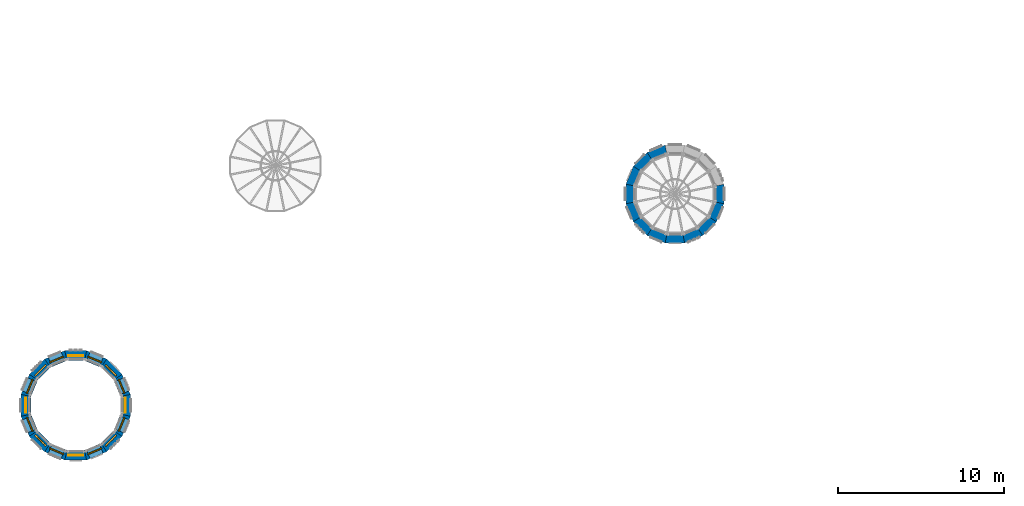
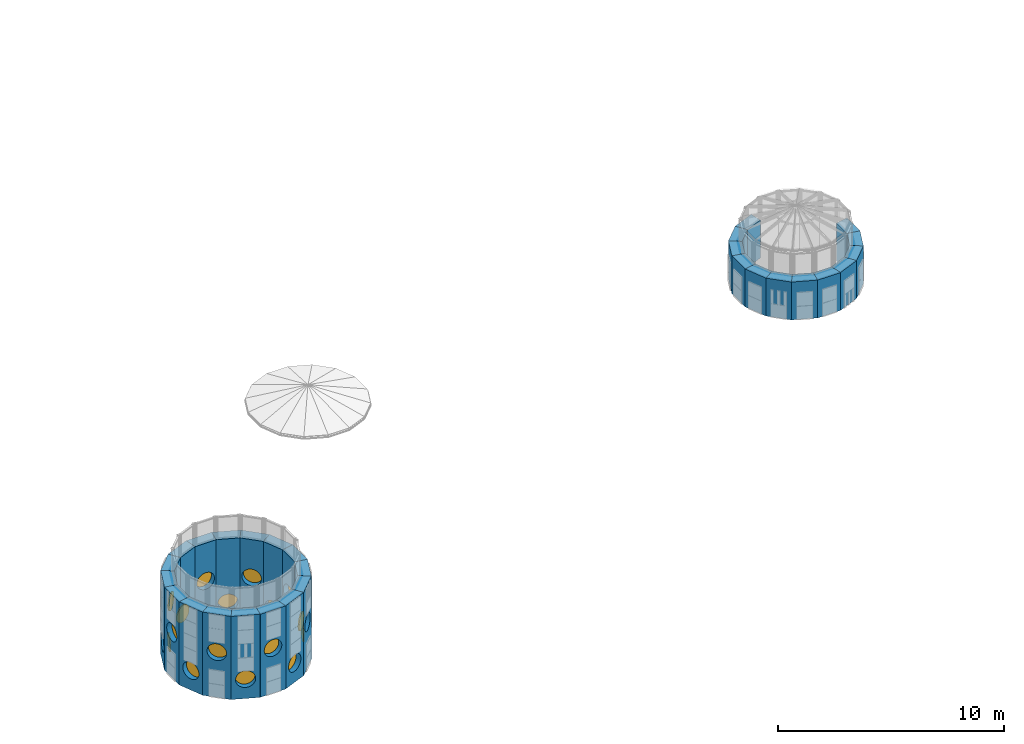
# One storey, part 26 of 36: 28 walls, 16 windows, 16 openings.
"""IFC4 building model written with IfcOpenShell, lengths in metres."""

from ifc_helpers import new_model, si_unit, direction, frame, frame_2d, origin, place, context, subcontext, project, spatial, polyline, circle, outline, extrude, material, layer, layer_set, type_object, element, fill, save


model = new_model("IFC4")

# Units and contexts
model_context = context("Model", 3, precision=1e-05, world=origin(), true_north=direction((0.0, 1.0)))
body_context = subcontext(model_context, "Body", "Model", "MODEL_VIEW")
ifc_project = project(units=[si_unit("LENGTHUNIT", "METRE"), si_unit("AREAUNIT", "SQUARE_METRE"), si_unit("VOLUMEUNIT", "CUBIC_METRE"), si_unit("PLANEANGLEUNIT", "RADIAN"), si_unit("MASSUNIT", "GRAM", prefix="KILO")], contexts=[model_context])

# Site, building, storey
site_placement = place(None, origin())
site = spatial("IfcSite", under=ifc_project, at=site_placement, CompositionType="ELEMENT")
building_placement = place(site_placement, origin())
building = spatial("IfcBuilding", under=site, at=building_placement, Name="Sun Court Science Centre", CompositionType="ELEMENT")
storey_placement = place(building_placement, frame((0.0, 0.0, 24.75)))
storey = spatial("IfcBuildingStorey", under=building, at=storey_placement, Name="L05", CompositionType="ELEMENT", Elevation=24.75)

# Wall, opening, window
ifc_material_1 = material(Name="Concrete C30/37", Category="concrete")
ifc_layer = layer(ifc_material_1, 0.60009765625)
ifc_layer_set = layer_set([ifc_layer], Name="Concrete C30/37")
wall_type = type_object("IfcWallType", Name="RC cone ring wall exterior 600", PredefinedType="SHEAR", material=ifc_layer_set)
wall_1_placement = place(storey_placement, frame((9.008544921875, 12.038818359375, -0.300048828125), z_axis=(0.0, 0.0, 1.0), x_axis=(-0.382731217677, 0.923859737739, 0.0)))
wall_1 = element("IfcWall", 1, at=wall_1_placement, inside=storey, type_object=wall_type, Name="Cone 1 ring wall L05 segment 1", PredefinedType="SHEAR", context=body_context, shape_type="SweptSolid", body=[
    extrude(outline(polyline([(0.0, -0.2998046875), (1.306884765625, -0.2998046875), (1.187744140625, 0.300048828125), (0.119384765625, 0.30029296875), (0.0, -0.2998046875)])), origin(), (0.0, 0.0, 1.0), 4.5),
])
opening_1_placement = place(wall_1_placement, frame((0.20361328125, 0.0, 0.60009765625)))
opening_1 = element("IfcOpeningElement", 2, at=opening_1_placement, cuts=wall_1, Name="Opening WN-L05-001", PredefinedType="OPENING", context=body_context, shape_type="SweptSolid", body=[
    extrude(circle(Radius=0.449951171875, at=frame_2d((0.449951171875, 0.449951171875))), frame((0.0, 0.31005859375, 0.0), z_axis=(0.0, -1.0, 0.0), x_axis=(1.0, 0.0, 0.0)), (0.0, 0.0, 1.0), 0.6201171875),
])
ifc_material_2 = material(Name="Aluminium frame, 6-12-6 glazing", Category="aluminium")
window_type = type_object("IfcWindowType", Name="Round porthole 900", PartitioningType="SINGLE_PANEL", PredefinedType="WINDOW", material=ifc_material_2)
window_1_placement = place(opening_1_placement, origin())
window_1 = element("IfcWindow", 3, at=window_1_placement, inside=storey, type_object=window_type, Name="Round porthole cone 1 ring 6 01", OverallHeight=0.89990234375, OverallWidth=0.89990234375, PartitioningType="SINGLE_PANEL", PredefinedType="WINDOW", context=body_context, shape_type="SweptSolid", body=[
    extrude(circle(Radius=0.449951171875, at=frame_2d((0.449951171875, 0.449951171875))), frame((0.0, 0.030029296875, 0.0), z_axis=(0.0, -1.0, 0.0), x_axis=(1.0, 0.0, 0.0)), (0.0, 0.0, 1.0), 0.06005859375),
])
fill(opening_1, window_1)

wall_2_placement = place(storey_placement, frame((8.5732421875, 13.14892578125, -0.300048828125), z_axis=(0.0, 0.0, 1.0), x_axis=(-0.707106781187, 0.707106781187, 0.0)))
wall_2 = element("IfcWall", 4, at=wall_2_placement, inside=storey, type_object=wall_type, Name="Cone 1 ring wall L05 segment 2", PredefinedType="SHEAR", context=body_context, shape_type="SweptSolid", body=[
    extrude(outline(polyline([(0.0, -0.300048828125), (1.30712890625, -0.300048828125), (1.18798828125, 0.2998046875), (0.119384765625, 0.2998046875), (0.0, -0.300048828125)])), origin(), (0.0, 0.0, 1.0), 4.5),
])
opening_2_placement = place(wall_2_placement, frame((0.20361328125, 0.0, 2.0)))
opening_2 = element("IfcOpeningElement", 5, at=opening_2_placement, cuts=wall_2, Name="Opening WN-L05-009", PredefinedType="OPENING", context=body_context, shape_type="SweptSolid", body=[
    extrude(circle(Radius=0.449951171875, at=frame_2d((0.449951171875, 0.449951171875))), frame((0.0, 0.31005859375, 0.0), z_axis=(0.0, -1.0, 0.0), x_axis=(1.0, 0.0, 0.0)), (0.0, 0.0, 1.0), 0.6201171875),
])
window_2_placement = place(opening_2_placement, origin())
window_2 = element("IfcWindow", 6, at=window_2_placement, inside=storey, type_object=window_type, Name="Round porthole cone 1 ring 6 02", OverallHeight=0.89990234375, OverallWidth=0.89990234375, PartitioningType="SINGLE_PANEL", PredefinedType="WINDOW", context=body_context, shape_type="SweptSolid", body=[
    extrude(circle(Radius=0.449951171875, at=frame_2d((0.449951171875, 0.449951171875))), frame((0.0, 0.030029296875, 0.0), z_axis=(0.0, -1.0, 0.0), x_axis=(1.0, 0.0, 0.0)), (0.0, 0.0, 1.0), 0.06005859375),
])
fill(opening_2, window_2)

wall_3_placement = place(storey_placement, frame((7.746337890625, 14.00830078125, -0.300048828125), z_axis=(0.0, 0.0, 1.0), x_axis=(-0.923859737739, 0.382731217677, 0.0)))
wall_3 = element("IfcWall", 7, at=wall_3_placement, inside=storey, type_object=wall_type, Name="Cone 1 ring wall L05 segment 3", PredefinedType="SHEAR", context=body_context, shape_type="SweptSolid", body=[
    extrude(outline(polyline([(0.0, -0.2998046875), (1.30712890625, -0.2998046875), (1.187744140625, 0.30029296875), (0.119384765625, 0.300048828125), (0.0, -0.2998046875)])), origin(), (0.0, 0.0, 1.0), 4.5),
])
opening_3_placement = place(wall_3_placement, frame((0.20361328125, 0.0, 0.60009765625)))
opening_3 = element("IfcOpeningElement", 8, at=opening_3_placement, cuts=wall_3, Name="Opening WN-L05-002", PredefinedType="OPENING", context=body_context, shape_type="SweptSolid", body=[
    extrude(circle(Radius=0.449951171875, at=frame_2d((0.449951171875, 0.449951171875))), frame((0.0, 0.31005859375, 0.0), z_axis=(0.0, -1.0, 0.0), x_axis=(1.0, 0.0, 0.0)), (0.0, 0.0, 1.0), 0.6201171875),
])
window_3_placement = place(opening_3_placement, origin())
window_3 = element("IfcWindow", 9, at=window_3_placement, inside=storey, type_object=window_type, Name="Round porthole cone 1 ring 6 03", OverallHeight=0.89990234375, OverallWidth=0.89990234375, PartitioningType="SINGLE_PANEL", PredefinedType="WINDOW", context=body_context, shape_type="SweptSolid", body=[
    extrude(circle(Radius=0.449951171875, at=frame_2d((0.449951171875, 0.449951171875))), frame((0.0, 0.030029296875, 0.0), z_axis=(0.0, -1.0, 0.0), x_axis=(1.0, 0.0, 0.0)), (0.0, 0.0, 1.0), 0.06005859375),
])
fill(opening_3, window_3)

wall_4_placement = place(storey_placement, frame((6.653564453125, 14.485595703125, -0.300048828125), z_axis=(0.0, 0.0, 1.0), x_axis=(-1.0, 0.0, 0.0)))
wall_4 = element("IfcWall", 10, at=wall_4_placement, inside=storey, type_object=wall_type, Name="Cone 1 ring wall L05 segment 4", PredefinedType="SHEAR", context=body_context, shape_type="SweptSolid", body=[
    extrude(outline(polyline([(0.0, -0.300048828125), (1.30712890625, -0.300048828125), (1.187744140625, 0.300048828125), (0.119384765625, 0.300048828125), (0.0, -0.300048828125)])), origin(), (0.0, 0.0, 1.0), 4.5),
])
opening_4_placement = place(wall_4_placement, frame((0.20361328125, 0.0, 2.0)))
opening_4 = element("IfcOpeningElement", 11, at=opening_4_placement, cuts=wall_4, Name="Opening WN-L05-010", PredefinedType="OPENING", context=body_context, shape_type="SweptSolid", body=[
    extrude(circle(Radius=0.449951171875, at=frame_2d((0.449951171875, 0.449951171875))), frame((0.0, 0.31005859375, 0.0), z_axis=(0.0, -1.0, 0.0), x_axis=(1.0, 0.0, 0.0)), (0.0, 0.0, 1.0), 0.6201171875),
])
window_4_placement = place(opening_4_placement, origin())
window_4 = element("IfcWindow", 12, at=window_4_placement, inside=storey, type_object=window_type, Name="Round porthole cone 1 ring 6 04", OverallHeight=0.89990234375, OverallWidth=0.89990234375, PartitioningType="SINGLE_PANEL", PredefinedType="WINDOW", context=body_context, shape_type="SweptSolid", body=[
    extrude(circle(Radius=0.449951171875, at=frame_2d((0.449951171875, 0.449951171875))), frame((0.0, 0.030029296875, 0.0), z_axis=(0.0, -1.0, 0.0), x_axis=(1.0, 0.0, 0.0)), (0.0, 0.0, 1.0), 0.06005859375),
])
fill(opening_4, window_4)

wall_5_placement = place(storey_placement, frame((5.461181640625, 14.508544921875, -0.300048828125), z_axis=(0.0, 0.0, 1.0), x_axis=(-0.923859737739, -0.382731217677, 0.0)))
wall_5 = element("IfcWall", 13, at=wall_5_placement, inside=storey, type_object=wall_type, Name="Cone 1 ring wall L05 segment 5", PredefinedType="SHEAR", context=body_context, shape_type="SweptSolid", body=[
    extrude(outline(polyline([(0.0, -0.2998046875), (1.306884765625, -0.2998046875), (1.187744140625, 0.300048828125), (0.119384765625, 0.30029296875), (0.0, -0.2998046875)])), origin(), (0.0, 0.0, 1.0), 4.5),
])
opening_5_placement = place(wall_5_placement, frame((0.20361328125, 0.0, 0.60009765625)))
opening_5 = element("IfcOpeningElement", 14, at=opening_5_placement, cuts=wall_5, Name="Opening WN-L05-003", PredefinedType="OPENING", context=body_context, shape_type="SweptSolid", body=[
    extrude(circle(Radius=0.449951171875, at=frame_2d((0.449951171875, 0.449951171875))), frame((0.0, 0.31005859375, 0.0), z_axis=(0.0, -1.0, 0.0), x_axis=(1.0, 0.0, 0.0)), (0.0, 0.0, 1.0), 0.6201171875),
])
window_5_placement = place(opening_5_placement, origin())
window_5 = element("IfcWindow", 15, at=window_5_placement, inside=storey, type_object=window_type, Name="Round porthole cone 1 ring 6 05", OverallHeight=0.89990234375, OverallWidth=0.89990234375, PartitioningType="SINGLE_PANEL", PredefinedType="WINDOW", context=body_context, shape_type="SweptSolid", body=[
    extrude(circle(Radius=0.449951171875, at=frame_2d((0.449951171875, 0.449951171875))), frame((0.0, 0.030029296875, 0.0), z_axis=(0.0, -1.0, 0.0), x_axis=(1.0, 0.0, 0.0)), (0.0, 0.0, 1.0), 0.06005859375),
])
fill(opening_5, window_5)

wall_6_placement = place(storey_placement, frame((4.35107421875, 14.0732421875, -0.300048828125), z_axis=(0.0, 0.0, 1.0), x_axis=(-0.707106781187, -0.707106781187, 0.0)))
wall_6 = element("IfcWall", 16, at=wall_6_placement, inside=storey, type_object=wall_type, Name="Cone 1 ring wall L05 segment 6", PredefinedType="SHEAR", context=body_context, shape_type="SweptSolid", body=[
    extrude(outline(polyline([(0.0, -0.300048828125), (1.30712890625, -0.300048828125), (1.18798828125, 0.2998046875), (0.119384765625, 0.2998046875), (0.0, -0.300048828125)])), origin(), (0.0, 0.0, 1.0), 4.5),
])
opening_6_placement = place(wall_6_placement, frame((0.20361328125, 0.0, 2.0)))
opening_6 = element("IfcOpeningElement", 17, at=opening_6_placement, cuts=wall_6, Name="Opening WN-L05-011", PredefinedType="OPENING", context=body_context, shape_type="SweptSolid", body=[
    extrude(circle(Radius=0.449951171875, at=frame_2d((0.449951171875, 0.449951171875))), frame((0.0, 0.31005859375, 0.0), z_axis=(0.0, -1.0, 0.0), x_axis=(1.0, 0.0, 0.0)), (0.0, 0.0, 1.0), 0.6201171875),
])
window_6_placement = place(opening_6_placement, origin())
window_6 = element("IfcWindow", 18, at=window_6_placement, inside=storey, type_object=window_type, Name="Round porthole cone 1 ring 6 06", OverallHeight=0.89990234375, OverallWidth=0.89990234375, PartitioningType="SINGLE_PANEL", PredefinedType="WINDOW", context=body_context, shape_type="SweptSolid", body=[
    extrude(circle(Radius=0.449951171875, at=frame_2d((0.449951171875, 0.449951171875))), frame((0.0, 0.030029296875, 0.0), z_axis=(0.0, -1.0, 0.0), x_axis=(1.0, 0.0, 0.0)), (0.0, 0.0, 1.0), 0.06005859375),
])
fill(opening_6, window_6)

wall_7_placement = place(storey_placement, frame((3.49169921875, 13.246337890625, -0.300048828125), z_axis=(0.0, 0.0, 1.0), x_axis=(-0.382731217677, -0.923859737739, 0.0)))
wall_7 = element("IfcWall", 19, at=wall_7_placement, inside=storey, type_object=wall_type, Name="Cone 1 ring wall L05 segment 7", PredefinedType="SHEAR", context=body_context, shape_type="SweptSolid", body=[
    extrude(outline(polyline([(0.0, -0.2998046875), (1.30712890625, -0.2998046875), (1.187744140625, 0.30029296875), (0.119384765625, 0.300048828125), (0.0, -0.2998046875)])), origin(), (0.0, 0.0, 1.0), 4.5),
])
opening_7_placement = place(wall_7_placement, frame((0.20361328125, 0.0, 0.60009765625)))
opening_7 = element("IfcOpeningElement", 20, at=opening_7_placement, cuts=wall_7, Name="Opening WN-L05-004", PredefinedType="OPENING", context=body_context, shape_type="SweptSolid", body=[
    extrude(circle(Radius=0.449951171875, at=frame_2d((0.449951171875, 0.449951171875))), frame((0.0, 0.31005859375, 0.0), z_axis=(0.0, -1.0, 0.0), x_axis=(1.0, 0.0, 0.0)), (0.0, 0.0, 1.0), 0.6201171875),
])
window_7_placement = place(opening_7_placement, origin())
window_7 = element("IfcWindow", 21, at=window_7_placement, inside=storey, type_object=window_type, Name="Round porthole cone 1 ring 6 07", OverallHeight=0.89990234375, OverallWidth=0.89990234375, PartitioningType="SINGLE_PANEL", PredefinedType="WINDOW", context=body_context, shape_type="SweptSolid", body=[
    extrude(circle(Radius=0.449951171875, at=frame_2d((0.449951171875, 0.449951171875))), frame((0.0, 0.030029296875, 0.0), z_axis=(0.0, -1.0, 0.0), x_axis=(1.0, 0.0, 0.0)), (0.0, 0.0, 1.0), 0.06005859375),
])
fill(opening_7, window_7)

wall_8_placement = place(storey_placement, frame((3.014404296875, 12.153564453125, -0.300048828125), z_axis=(0.0, 0.0, 1.0), x_axis=(0.0, -1.0, 0.0)))
wall_8 = element("IfcWall", 22, at=wall_8_placement, inside=storey, type_object=wall_type, Name="Cone 1 ring wall L05 segment 8", PredefinedType="SHEAR", context=body_context, shape_type="SweptSolid", body=[
    extrude(outline(polyline([(0.0, -0.300048828125), (1.30712890625, -0.300048828125), (1.187744140625, 0.300048828125), (0.119384765625, 0.300048828125), (0.0, -0.300048828125)])), origin(), (0.0, 0.0, 1.0), 4.5),
])
opening_8_placement = place(wall_8_placement, frame((0.20361328125, 0.0, 2.0)))
opening_8 = element("IfcOpeningElement", 23, at=opening_8_placement, cuts=wall_8, Name="Opening WN-L05-012", PredefinedType="OPENING", context=body_context, shape_type="SweptSolid", body=[
    extrude(circle(Radius=0.449951171875, at=frame_2d((0.449951171875, 0.449951171875))), frame((0.0, 0.31005859375, 0.0), z_axis=(0.0, -1.0, 0.0), x_axis=(1.0, 0.0, 0.0)), (0.0, 0.0, 1.0), 0.6201171875),
])
window_8_placement = place(opening_8_placement, origin())
window_8 = element("IfcWindow", 24, at=window_8_placement, inside=storey, type_object=window_type, Name="Round porthole cone 1 ring 6 08", OverallHeight=0.89990234375, OverallWidth=0.89990234375, PartitioningType="SINGLE_PANEL", PredefinedType="WINDOW", context=body_context, shape_type="SweptSolid", body=[
    extrude(circle(Radius=0.449951171875, at=frame_2d((0.449951171875, 0.449951171875))), frame((0.0, 0.030029296875, 0.0), z_axis=(0.0, -1.0, 0.0), x_axis=(1.0, 0.0, 0.0)), (0.0, 0.0, 1.0), 0.06005859375),
])
fill(opening_8, window_8)

wall_9_placement = place(storey_placement, frame((2.991455078125, 10.961181640625, -0.300048828125), z_axis=(0.0, 0.0, 1.0), x_axis=(0.382731217677, -0.923859737739, 0.0)))
wall_9 = element("IfcWall", 25, at=wall_9_placement, inside=storey, type_object=wall_type, Name="Cone 1 ring wall L05 segment 9", PredefinedType="SHEAR", context=body_context, shape_type="SweptSolid", body=[
    extrude(outline(polyline([(0.0, -0.2998046875), (1.306884765625, -0.2998046875), (1.187744140625, 0.300048828125), (0.119384765625, 0.30029296875), (0.0, -0.2998046875)])), origin(), (0.0, 0.0, 1.0), 4.5),
])
opening_9_placement = place(wall_9_placement, frame((0.20361328125, 0.0, 0.60009765625)))
opening_9 = element("IfcOpeningElement", 26, at=opening_9_placement, cuts=wall_9, Name="Opening WN-L05-005", PredefinedType="OPENING", context=body_context, shape_type="SweptSolid", body=[
    extrude(circle(Radius=0.449951171875, at=frame_2d((0.449951171875, 0.449951171875))), frame((0.0, 0.31005859375, 0.0), z_axis=(0.0, -1.0, 0.0), x_axis=(1.0, 0.0, 0.0)), (0.0, 0.0, 1.0), 0.6201171875),
])
window_9_placement = place(opening_9_placement, origin())
window_9 = element("IfcWindow", 27, at=window_9_placement, inside=storey, type_object=window_type, Name="Round porthole cone 1 ring 6 09", OverallHeight=0.89990234375, OverallWidth=0.89990234375, PartitioningType="SINGLE_PANEL", PredefinedType="WINDOW", context=body_context, shape_type="SweptSolid", body=[
    extrude(circle(Radius=0.449951171875, at=frame_2d((0.449951171875, 0.449951171875))), frame((0.0, 0.030029296875, 0.0), z_axis=(0.0, -1.0, 0.0), x_axis=(1.0, 0.0, 0.0)), (0.0, 0.0, 1.0), 0.06005859375),
])
fill(opening_9, window_9)

wall_10_placement = place(storey_placement, frame((3.4267578125, 9.85107421875, -0.300048828125), z_axis=(0.0, 0.0, 1.0), x_axis=(0.707106781187, -0.707106781187, 0.0)))
wall_10 = element("IfcWall", 28, at=wall_10_placement, inside=storey, type_object=wall_type, Name="Cone 1 ring wall L05 segment 10", PredefinedType="SHEAR", context=body_context, shape_type="SweptSolid", body=[
    extrude(outline(polyline([(0.0, -0.300048828125), (1.30712890625, -0.300048828125), (1.18798828125, 0.2998046875), (0.119384765625, 0.2998046875), (0.0, -0.300048828125)])), origin(), (0.0, 0.0, 1.0), 4.5),
])
opening_10_placement = place(wall_10_placement, frame((0.20361328125, 0.0, 2.0)))
opening_10 = element("IfcOpeningElement", 29, at=opening_10_placement, cuts=wall_10, Name="Opening WN-L05-013", PredefinedType="OPENING", context=body_context, shape_type="SweptSolid", body=[
    extrude(circle(Radius=0.449951171875, at=frame_2d((0.449951171875, 0.449951171875))), frame((0.0, 0.31005859375, 0.0), z_axis=(0.0, -1.0, 0.0), x_axis=(1.0, 0.0, 0.0)), (0.0, 0.0, 1.0), 0.6201171875),
])
window_10_placement = place(opening_10_placement, origin())
window_10 = element("IfcWindow", 30, at=window_10_placement, inside=storey, type_object=window_type, Name="Round porthole cone 1 ring 6 10", OverallHeight=0.89990234375, OverallWidth=0.89990234375, PartitioningType="SINGLE_PANEL", PredefinedType="WINDOW", context=body_context, shape_type="SweptSolid", body=[
    extrude(circle(Radius=0.449951171875, at=frame_2d((0.449951171875, 0.449951171875))), frame((0.0, 0.030029296875, 0.0), z_axis=(0.0, -1.0, 0.0), x_axis=(1.0, 0.0, 0.0)), (0.0, 0.0, 1.0), 0.06005859375),
])
fill(opening_10, window_10)

wall_11_placement = place(storey_placement, frame((4.253662109375, 8.99169921875, -0.300048828125), z_axis=(0.0, 0.0, 1.0), x_axis=(0.923859737739, -0.382731217677, 0.0)))
wall_11 = element("IfcWall", 31, at=wall_11_placement, inside=storey, type_object=wall_type, Name="Cone 1 ring wall L05 segment 11", PredefinedType="SHEAR", context=body_context, shape_type="SweptSolid", body=[
    extrude(outline(polyline([(0.0, -0.2998046875), (1.30712890625, -0.2998046875), (1.187744140625, 0.30029296875), (0.119384765625, 0.300048828125), (0.0, -0.2998046875)])), origin(), (0.0, 0.0, 1.0), 4.5),
])
opening_11_placement = place(wall_11_placement, frame((0.20361328125, 0.0, 0.60009765625)))
opening_11 = element("IfcOpeningElement", 32, at=opening_11_placement, cuts=wall_11, Name="Opening WN-L05-006", PredefinedType="OPENING", context=body_context, shape_type="SweptSolid", body=[
    extrude(circle(Radius=0.449951171875, at=frame_2d((0.449951171875, 0.449951171875))), frame((0.0, 0.31005859375, 0.0), z_axis=(0.0, -1.0, 0.0), x_axis=(1.0, 0.0, 0.0)), (0.0, 0.0, 1.0), 0.6201171875),
])
window_11_placement = place(opening_11_placement, origin())
window_11 = element("IfcWindow", 33, at=window_11_placement, inside=storey, type_object=window_type, Name="Round porthole cone 1 ring 6 11", OverallHeight=0.89990234375, OverallWidth=0.89990234375, PartitioningType="SINGLE_PANEL", PredefinedType="WINDOW", context=body_context, shape_type="SweptSolid", body=[
    extrude(circle(Radius=0.449951171875, at=frame_2d((0.449951171875, 0.449951171875))), frame((0.0, 0.030029296875, 0.0), z_axis=(0.0, -1.0, 0.0), x_axis=(1.0, 0.0, 0.0)), (0.0, 0.0, 1.0), 0.06005859375),
])
fill(opening_11, window_11)

wall_12_placement = place(storey_placement, frame((5.346435546875, 8.514404296875, -0.300048828125), z_axis=(0.0, 0.0, 1.0), x_axis=(1.0, 0.0, 0.0)))
wall_12 = element("IfcWall", 34, at=wall_12_placement, inside=storey, type_object=wall_type, Name="Cone 1 ring wall L05 segment 12", PredefinedType="SHEAR", context=body_context, shape_type="SweptSolid", body=[
    extrude(outline(polyline([(0.0, -0.300048828125), (1.30712890625, -0.300048828125), (1.187744140625, 0.300048828125), (0.119384765625, 0.300048828125), (0.0, -0.300048828125)])), origin(), (0.0, 0.0, 1.0), 4.5),
])
opening_12_placement = place(wall_12_placement, frame((0.20361328125, 0.0, 2.0)))
opening_12 = element("IfcOpeningElement", 35, at=opening_12_placement, cuts=wall_12, Name="Opening WN-L05-014", PredefinedType="OPENING", context=body_context, shape_type="SweptSolid", body=[
    extrude(circle(Radius=0.449951171875, at=frame_2d((0.449951171875, 0.449951171875))), frame((0.0, 0.31005859375, 0.0), z_axis=(0.0, -1.0, 0.0), x_axis=(1.0, 0.0, 0.0)), (0.0, 0.0, 1.0), 0.6201171875),
])
window_12_placement = place(opening_12_placement, origin())
window_12 = element("IfcWindow", 36, at=window_12_placement, inside=storey, type_object=window_type, Name="Round porthole cone 1 ring 6 12", OverallHeight=0.89990234375, OverallWidth=0.89990234375, PartitioningType="SINGLE_PANEL", PredefinedType="WINDOW", context=body_context, shape_type="SweptSolid", body=[
    extrude(circle(Radius=0.449951171875, at=frame_2d((0.449951171875, 0.449951171875))), frame((0.0, 0.030029296875, 0.0), z_axis=(0.0, -1.0, 0.0), x_axis=(1.0, 0.0, 0.0)), (0.0, 0.0, 1.0), 0.06005859375),
])
fill(opening_12, window_12)

wall_13_placement = place(storey_placement, frame((6.538818359375, 8.491455078125, -0.300048828125), z_axis=(0.0, 0.0, 1.0), x_axis=(0.923859737739, 0.382731217677, 0.0)))
wall_13 = element("IfcWall", 37, at=wall_13_placement, inside=storey, type_object=wall_type, Name="Cone 1 ring wall L05 segment 13", PredefinedType="SHEAR", context=body_context, shape_type="SweptSolid", body=[
    extrude(outline(polyline([(0.0, -0.2998046875), (1.306884765625, -0.2998046875), (1.187744140625, 0.300048828125), (0.119384765625, 0.30029296875), (0.0, -0.2998046875)])), origin(), (0.0, 0.0, 1.0), 4.5),
])
opening_13_placement = place(wall_13_placement, frame((0.20361328125, 0.0, 0.60009765625)))
opening_13 = element("IfcOpeningElement", 38, at=opening_13_placement, cuts=wall_13, Name="Opening WN-L05-007", PredefinedType="OPENING", context=body_context, shape_type="SweptSolid", body=[
    extrude(circle(Radius=0.449951171875, at=frame_2d((0.449951171875, 0.449951171875))), frame((0.0, 0.31005859375, 0.0), z_axis=(0.0, -1.0, 0.0), x_axis=(1.0, 0.0, 0.0)), (0.0, 0.0, 1.0), 0.6201171875),
])
window_13_placement = place(opening_13_placement, origin())
window_13 = element("IfcWindow", 39, at=window_13_placement, inside=storey, type_object=window_type, Name="Round porthole cone 1 ring 6 13", OverallHeight=0.89990234375, OverallWidth=0.89990234375, PartitioningType="SINGLE_PANEL", PredefinedType="WINDOW", context=body_context, shape_type="SweptSolid", body=[
    extrude(circle(Radius=0.449951171875, at=frame_2d((0.449951171875, 0.449951171875))), frame((0.0, 0.030029296875, 0.0), z_axis=(0.0, -1.0, 0.0), x_axis=(1.0, 0.0, 0.0)), (0.0, 0.0, 1.0), 0.06005859375),
])
fill(opening_13, window_13)

wall_14_placement = place(storey_placement, frame((7.64892578125, 8.9267578125, -0.300048828125), z_axis=(0.0, 0.0, 1.0), x_axis=(0.707106781187, 0.707106781187, 0.0)))
wall_14 = element("IfcWall", 40, at=wall_14_placement, inside=storey, type_object=wall_type, Name="Cone 1 ring wall L05 segment 14", PredefinedType="SHEAR", context=body_context, shape_type="SweptSolid", body=[
    extrude(outline(polyline([(0.0, -0.300048828125), (1.30712890625, -0.300048828125), (1.18798828125, 0.2998046875), (0.119384765625, 0.2998046875), (0.0, -0.300048828125)])), origin(), (0.0, 0.0, 1.0), 4.5),
])
opening_14_placement = place(wall_14_placement, frame((0.20361328125, 0.0, 2.0)))
opening_14 = element("IfcOpeningElement", 41, at=opening_14_placement, cuts=wall_14, Name="Opening WN-L05-015", PredefinedType="OPENING", context=body_context, shape_type="SweptSolid", body=[
    extrude(circle(Radius=0.449951171875, at=frame_2d((0.449951171875, 0.449951171875))), frame((0.0, 0.31005859375, 0.0), z_axis=(0.0, -1.0, 0.0), x_axis=(1.0, 0.0, 0.0)), (0.0, 0.0, 1.0), 0.6201171875),
])
window_14_placement = place(opening_14_placement, origin())
window_14 = element("IfcWindow", 42, at=window_14_placement, inside=storey, type_object=window_type, Name="Round porthole cone 1 ring 6 14", OverallHeight=0.89990234375, OverallWidth=0.89990234375, PartitioningType="SINGLE_PANEL", PredefinedType="WINDOW", context=body_context, shape_type="SweptSolid", body=[
    extrude(circle(Radius=0.449951171875, at=frame_2d((0.449951171875, 0.449951171875))), frame((0.0, 0.030029296875, 0.0), z_axis=(0.0, -1.0, 0.0), x_axis=(1.0, 0.0, 0.0)), (0.0, 0.0, 1.0), 0.06005859375),
])
fill(opening_14, window_14)

wall_15_placement = place(storey_placement, frame((8.50830078125, 9.753662109375, -0.300048828125), z_axis=(0.0, 0.0, 1.0), x_axis=(0.382731217677, 0.923859737739, 0.0)))
wall_15 = element("IfcWall", 43, at=wall_15_placement, inside=storey, type_object=wall_type, Name="Cone 1 ring wall L05 segment 15", PredefinedType="SHEAR", context=body_context, shape_type="SweptSolid", body=[
    extrude(outline(polyline([(0.0, -0.2998046875), (1.30712890625, -0.2998046875), (1.187744140625, 0.30029296875), (0.119384765625, 0.300048828125), (0.0, -0.2998046875)])), origin(), (0.0, 0.0, 1.0), 4.5),
])
opening_15_placement = place(wall_15_placement, frame((0.20361328125, 0.0, 0.60009765625)))
opening_15 = element("IfcOpeningElement", 44, at=opening_15_placement, cuts=wall_15, Name="Opening WN-L05-008", PredefinedType="OPENING", context=body_context, shape_type="SweptSolid", body=[
    extrude(circle(Radius=0.449951171875, at=frame_2d((0.449951171875, 0.449951171875))), frame((0.0, 0.31005859375, 0.0), z_axis=(0.0, -1.0, 0.0), x_axis=(1.0, 0.0, 0.0)), (0.0, 0.0, 1.0), 0.6201171875),
])
window_15_placement = place(opening_15_placement, origin())
window_15 = element("IfcWindow", 45, at=window_15_placement, inside=storey, type_object=window_type, Name="Round porthole cone 1 ring 6 15", OverallHeight=0.89990234375, OverallWidth=0.89990234375, PartitioningType="SINGLE_PANEL", PredefinedType="WINDOW", context=body_context, shape_type="SweptSolid", body=[
    extrude(circle(Radius=0.449951171875, at=frame_2d((0.449951171875, 0.449951171875))), frame((0.0, 0.030029296875, 0.0), z_axis=(0.0, -1.0, 0.0), x_axis=(1.0, 0.0, 0.0)), (0.0, 0.0, 1.0), 0.06005859375),
])
fill(opening_15, window_15)

wall_16_placement = place(storey_placement, frame((8.985595703125, 10.846435546875, -0.300048828125), z_axis=(0.0, 0.0, 1.0), x_axis=(0.0, 1.0, 0.0)))
wall_16 = element("IfcWall", 46, at=wall_16_placement, inside=storey, type_object=wall_type, Name="Cone 1 ring wall L05 segment 16", PredefinedType="SHEAR", context=body_context, shape_type="SweptSolid", body=[
    extrude(outline(polyline([(0.0, -0.300048828125), (1.30712890625, -0.300048828125), (1.187744140625, 0.300048828125), (0.119384765625, 0.300048828125), (0.0, -0.300048828125)])), origin(), (0.0, 0.0, 1.0), 4.5),
])
opening_16_placement = place(wall_16_placement, frame((0.20361328125, 0.0, 2.0)))
opening_16 = element("IfcOpeningElement", 47, at=opening_16_placement, cuts=wall_16, Name="Opening WN-L05-016", PredefinedType="OPENING", context=body_context, shape_type="SweptSolid", body=[
    extrude(circle(Radius=0.449951171875, at=frame_2d((0.449951171875, 0.449951171875))), frame((0.0, 0.31005859375, 0.0), z_axis=(0.0, -1.0, 0.0), x_axis=(1.0, 0.0, 0.0)), (0.0, 0.0, 1.0), 0.6201171875),
])
window_16_placement = place(opening_16_placement, origin())
window_16 = element("IfcWindow", 48, at=window_16_placement, inside=storey, type_object=window_type, Name="Round porthole cone 1 ring 6 16", OverallHeight=0.89990234375, OverallWidth=0.89990234375, PartitioningType="SINGLE_PANEL", PredefinedType="WINDOW", context=body_context, shape_type="SweptSolid", body=[
    extrude(circle(Radius=0.449951171875, at=frame_2d((0.449951171875, 0.449951171875))), frame((0.0, 0.030029296875, 0.0), z_axis=(0.0, -1.0, 0.0), x_axis=(1.0, 0.0, 0.0)), (0.0, 0.0, 1.0), 0.06005859375),
])
fill(opening_16, window_16)

# Walls
wall_17_placement = place(storey_placement, frame((41.529541015625, 26.865234375, -0.300048828125), z_axis=(0.0, 0.0, 1.0), x_axis=(-0.923877031545, -0.382689470177, 0.0)))
element("IfcWall", 49, at=wall_17_placement, inside=storey, type_object=wall_type, Name="Cone 4 ring wall L05 segment 5", PredefinedType="SHEAR", context=body_context, shape_type="SweptSolid", body=[
    extrude(outline(polyline([(0.0, -0.2998046875), (1.170654296875, -0.2998046875), (1.05126953125, 0.300048828125), (0.119140625, 0.300048828125), (0.0, -0.2998046875)])), origin(), (0.0, 0.0, 1.0), 2.050048828125),
])
wall_18_placement = place(storey_placement, frame((40.54541015625, 26.482177734375, -0.300048828125), z_axis=(0.0, 0.0, 1.0), x_axis=(-0.707106781187, -0.707106781187, 0.0)))
element("IfcWall", 50, at=wall_18_placement, inside=storey, type_object=wall_type, Name="Cone 4 ring wall L05 segment 6", PredefinedType="SHEAR", context=body_context, shape_type="SweptSolid", body=[
    extrude(outline(polyline([(0.0, -0.300048828125), (1.17041015625, -0.300048828125), (1.05126953125, 0.2998046875), (0.119384765625, 0.2998046875), (0.0, -0.300048828125)])), origin(), (0.0, 0.0, 1.0), 2.050048828125),
])
wall_19_placement = place(storey_placement, frame((39.78271484375, 25.751953125, -0.300048828125), z_axis=(0.0, 0.0, 1.0), x_axis=(-0.382689470177, -0.923877031545, 0.0)))
element("IfcWall", 51, at=wall_19_placement, inside=storey, type_object=wall_type, Name="Cone 4 ring wall L05 segment 7", PredefinedType="SHEAR", context=body_context, shape_type="SweptSolid", body=[
    extrude(outline(polyline([(0.0, -0.2998046875), (1.17041015625, -0.300048828125), (1.051025390625, 0.300048828125), (0.119384765625, 0.300048828125), (0.0, -0.2998046875)])), origin(), (0.0, 0.0, 1.0), 2.050048828125),
])
wall_20_placement = place(storey_placement, frame((39.357666015625, 24.78515625, -0.300048828125), z_axis=(0.0, 0.0, 1.0), x_axis=(0.0, -1.0, 0.0)))
element("IfcWall", 52, at=wall_20_placement, inside=storey, type_object=wall_type, Name="Cone 4 ring wall L05 segment 8", PredefinedType="SHEAR", context=body_context, shape_type="SweptSolid", body=[
    extrude(outline(polyline([(-0.000244140625, -0.300048828125), (1.17041015625, -0.300048828125), (1.051025390625, 0.300048828125), (0.119140625, 0.300048828125), (-0.000244140625, -0.300048828125)])), origin(), (0.0, 0.0, 1.0), 2.050048828125),
])
wall_21_placement = place(storey_placement, frame((39.334716796875, 23.7294921875, -0.300048828125), z_axis=(0.0, 0.0, 1.0), x_axis=(0.382763217733, -0.923846480294, 0.0)))
element("IfcWall", 53, at=wall_21_placement, inside=storey, type_object=wall_type, Name="Cone 4 ring wall L05 segment 9", PredefinedType="SHEAR", context=body_context, shape_type="SweptSolid", body=[
    extrude(outline(polyline([(0.0, -0.2998046875), (1.170654296875, -0.300048828125), (1.051025390625, 0.300048828125), (0.119384765625, 0.30029296875), (0.0, -0.2998046875)])), origin(), (0.0, 0.0, 1.0), 2.050048828125),
])
wall_22_placement = place(storey_placement, frame((39.7177734375, 22.745361328125, -0.300048828125), z_axis=(0.0, 0.0, 1.0), x_axis=(0.707106781187, -0.707106781187, 0.0)))
element("IfcWall", 54, at=wall_22_placement, inside=storey, type_object=wall_type, Name="Cone 4 ring wall L05 segment 10", PredefinedType="SHEAR", context=body_context, shape_type="SweptSolid", body=[
    extrude(outline(polyline([(0.0, -0.300048828125), (1.17041015625, -0.300048828125), (1.05126953125, 0.2998046875), (0.119140625, 0.300048828125), (0.0, -0.300048828125)])), origin(), (0.0, 0.0, 1.0), 2.050048828125),
])
wall_23_placement = place(storey_placement, frame((40.447998046875, 21.982666015625, -0.300048828125), z_axis=(0.0, 0.0, 1.0), x_axis=(0.923950754843, -0.38251144117, 0.0)))
element("IfcWall", 55, at=wall_23_placement, inside=storey, type_object=wall_type, Name="Cone 4 ring wall L05 segment 11", PredefinedType="SHEAR", context=body_context, shape_type="SweptSolid", body=[
    extrude(outline(polyline([(0.0, -0.2998046875), (1.170654296875, -0.300048828125), (1.051513671875, 0.300048828125), (0.119384765625, 0.300048828125), (0.0, -0.2998046875)])), origin(), (0.0, 0.0, 1.0), 2.050048828125),
])
wall_24_placement = place(storey_placement, frame((41.414794921875, 21.5576171875, -0.300048828125), z_axis=(0.0, 0.0, 1.0), x_axis=(1.0, 0.0, 0.0)))
element("IfcWall", 56, at=wall_24_placement, inside=storey, type_object=wall_type, Name="Cone 4 ring wall L05 segment 12", PredefinedType="SHEAR", context=body_context, shape_type="SweptSolid", body=[
    extrude(outline(polyline([(0.0, -0.300048828125), (1.17041015625, -0.300048828125), (1.051025390625, 0.300048828125), (0.119384765625, 0.300048828125), (0.0, -0.300048828125)])), origin(), (0.0, 0.0, 1.0), 2.050048828125),
])
wall_25_placement = place(storey_placement, frame((42.470458984375, 21.534912109375, -0.300048828125), z_axis=(0.0, 0.0, 1.0), x_axis=(0.923950754843, 0.38251144117, 0.0)))
element("IfcWall", 57, at=wall_25_placement, inside=storey, type_object=wall_type, Name="Cone 4 ring wall L05 segment 13", PredefinedType="SHEAR", context=body_context, shape_type="SweptSolid", body=[
    extrude(outline(polyline([(0.0, -0.300048828125), (1.170654296875, -0.2998046875), (1.051025390625, 0.300048828125), (0.119140625, 0.300048828125), (0.0, -0.300048828125)])), origin(), (0.0, 0.0, 1.0), 2.050048828125),
])
wall_26_placement = place(storey_placement, frame((43.45458984375, 21.917724609375, -0.300048828125), z_axis=(0.0, 0.0, 1.0), x_axis=(0.707106781187, 0.707106781187, 0.0)))
element("IfcWall", 58, at=wall_26_placement, inside=storey, type_object=wall_type, Name="Cone 4 ring wall L05 segment 14", PredefinedType="SHEAR", context=body_context, shape_type="SweptSolid", body=[
    extrude(outline(polyline([(0.0, -0.300048828125), (1.17041015625, -0.300048828125), (1.05126953125, 0.300048828125), (0.119384765625, 0.2998046875), (0.0, -0.300048828125)])), origin(), (0.0, 0.0, 1.0), 2.050048828125),
])
wall_27_placement = place(storey_placement, frame((44.21728515625, 22.648193359375, -0.300048828125), z_axis=(0.0, 0.0, 1.0), x_axis=(0.382763217733, 0.923846480294, 0.0)))
element("IfcWall", 59, at=wall_27_placement, inside=storey, type_object=wall_type, Name="Cone 4 ring wall L05 segment 15", PredefinedType="SHEAR", context=body_context, shape_type="SweptSolid", body=[
    extrude(outline(polyline([(-0.000244140625, -0.300048828125), (1.17041015625, -0.2998046875), (1.051025390625, 0.30029296875), (0.119384765625, 0.300048828125), (-0.000244140625, -0.300048828125)])), origin(), (0.0, 0.0, 1.0), 2.050048828125),
])
wall_28_placement = place(storey_placement, frame((44.642333984375, 23.61474609375, -0.300048828125), z_axis=(0.0, 0.0, 1.0), x_axis=(0.0, 1.0, 0.0)))
element("IfcWall", 60, at=wall_28_placement, inside=storey, type_object=wall_type, Name="Cone 4 ring wall L05 segment 16", PredefinedType="SHEAR", context=body_context, shape_type="SweptSolid", body=[
    extrude(outline(polyline([(0.0, -0.300048828125), (1.170654296875, -0.300048828125), (1.05126953125, 0.300048828125), (0.119384765625, 0.300048828125), (0.0, -0.300048828125)])), origin(), (0.0, 0.0, 1.0), 2.050048828125),
])

save(model, "model.ifc")
